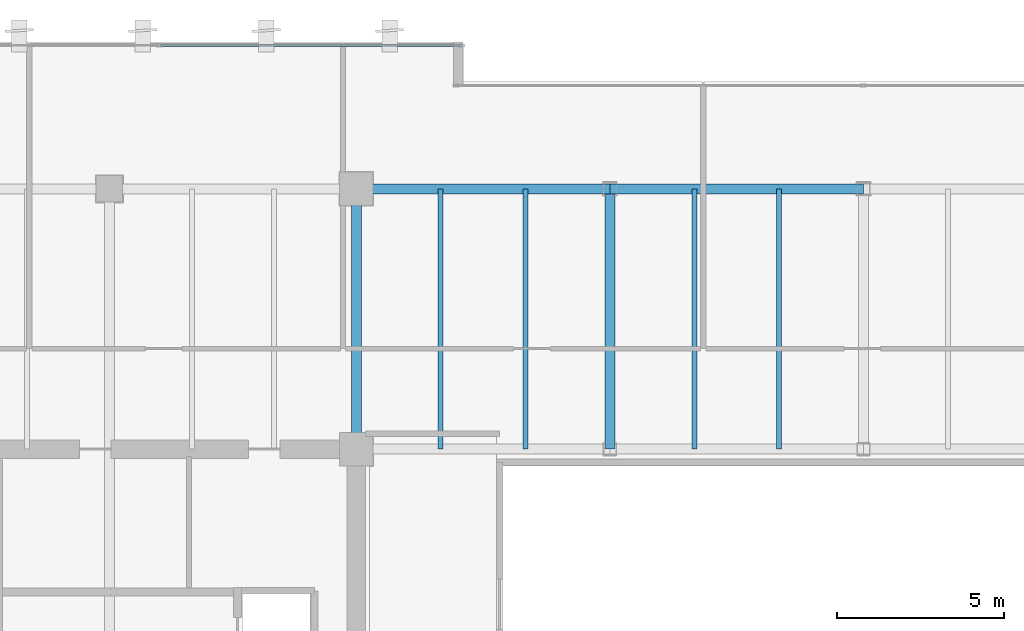
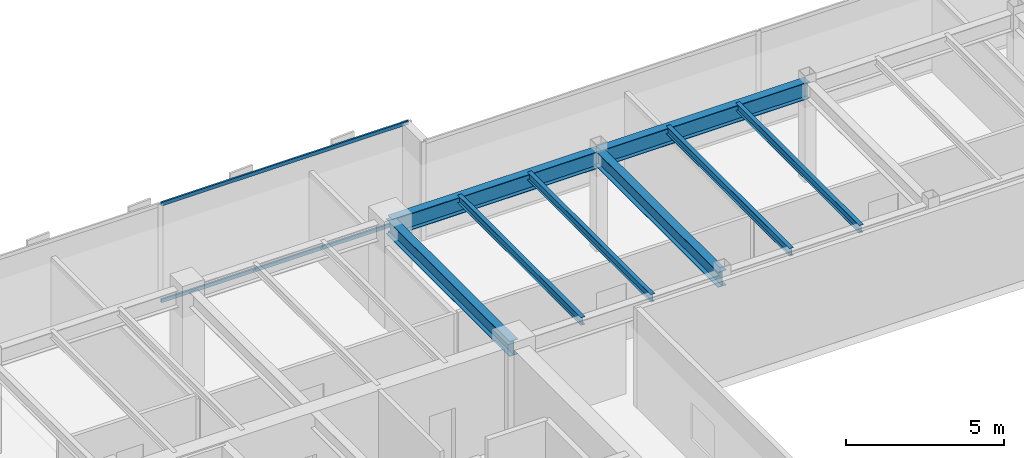
# One storey, part 16 of 35: 8 beams, 2 members, 1 element without a shape of its own.
"""IFC4 building model written with IfcOpenShell, lengths in metres."""

from ifc_helpers import new_model, si_unit, direction, frame, origin, origin_2d, place, context, subcontext, project, spatial, hollow_rectangle, i_section, extrude, source, transform, mapped, material, layer, layer_set, material_profile, profile_set, type_object, type_shapes, element, aggregate, save


model = new_model("IFC4")

# Units and contexts
model_context = context("Model", 3, precision=1e-05, world=origin(), true_north=direction((0.0, 1.0)))
body_context = subcontext(model_context, "Body", "Model", "MODEL_VIEW")
ifc_project = project(units=[si_unit("LENGTHUNIT", "METRE"), si_unit("AREAUNIT", "SQUARE_METRE"), si_unit("VOLUMEUNIT", "CUBIC_METRE"), si_unit("PLANEANGLEUNIT", "RADIAN"), si_unit("MASSUNIT", "GRAM", prefix="KILO")], contexts=[model_context])

# Site, building, storey
site_placement = place(None, origin())
site = spatial("IfcSite", under=ifc_project, at=site_placement, CompositionType="ELEMENT")
building_placement = place(site_placement, origin())
building = spatial("IfcBuilding", under=site, at=building_placement, Name="Haelvirn Gate Laboratories", CompositionType="ELEMENT")
storey_placement = place(building_placement, frame((0.0, 0.0, 201.39990234375)))
storey = spatial("IfcBuildingStorey", under=building, at=storey_placement, Name="L48", CompositionType="ELEMENT", Elevation=201.39990234375)

# Beams
ifc_material_1 = material(Name="Steel SM355", Category="steel")
ifc_material_profile_1 = material_profile(ifc_material_1, i_section(OverallWidth=0.14990234375, OverallDepth=0.300048828125, WebThickness=0.006591796875, FlangeThickness=0.009033203125, at=origin_2d()), Name="H-300x150x6.5x9")
ifc_profile_set_1 = profile_set([ifc_material_profile_1], Name="Steel SM355")
beam_type_1 = type_object("IfcBeamType", Name="BM-J-300", PredefinedType="JOIST", material=ifc_profile_set_1)
shared_shape_1 = source(origin(), body_context, "Body", "SweptSolid", [
    extrude(i_section(OverallWidth=0.14990234375, OverallDepth=0.300048828125, WebThickness=0.006591796875, FlangeThickness=0.009033203125, at=origin_2d()), origin(), (0.0, 0.0, 1.0), 7.800048828125),
])
type_shapes(beam_type_1, [shared_shape_1])
for number, where, z_axis, x_axis, name in (
    (1, (24.72998046875, 33.800048828125, 3.650146484375), (0.0, 1.0, 0.0), (-1.0, 0.0, 0.0), "L48 Composite Lab Joist North X24.73"),
    (2, (27.27001953125, 33.800048828125, 3.650146484375), (0.0, 1.0, 0.0), (-1.0, 0.0, 0.0), "L48 Composite Lab Joist North X27.27"),
    (3, (32.330078125, 33.800048828125, 3.650146484375), (0.0, 1.0, 0.0), (-1.0, 0.0, 0.0), "L48 Composite Lab Joist North X32.33"),
    (4, (34.8701171875, 33.800048828125, 3.650146484375), (0.0, 1.0, 0.0), (-1.0, 0.0, 0.0), "L48 Composite Lab Joist North X34.87"),
):
    element("IfcBeam", number, at=place(storey_placement, frame(where, z_axis=z_axis, x_axis=x_axis)), inside=storey, type_object=beam_type_1, Name=name, PredefinedType="JOIST", context=body_context, shape_type="MappedRepresentation", body=[
        mapped(shared_shape_1, transform((0.0, 0.0, 0.0), scale=1.0)),
    ])
ifc_material_profile_2 = material_profile(ifc_material_1, i_section(OverallWidth=0.300048828125, OverallDepth=0.587890625, WebThickness=0.011962890625, FlangeThickness=0.02001953125, at=origin_2d()), Name="H-588x300x12x20")
ifc_profile_set_2 = profile_set([ifc_material_profile_2], Name="Steel SM355")
beam_type_2 = type_object("IfcBeamType", Name="BM-G-588", PredefinedType="BEAM", material=ifc_profile_set_2)
shared_shape_2 = source(origin(), body_context, "Body", "SweptSolid", [
    extrude(i_section(OverallWidth=0.300048828125, OverallDepth=0.587890625, WebThickness=0.011962890625, FlangeThickness=0.02001953125, at=origin_2d()), origin(), (0.0, 0.0, 1.0), 7.800048828125),
])
type_shapes(beam_type_2, [shared_shape_2])
for number, where, z_axis, x_axis, name in (
    (5, (22.199951171875, 33.800048828125, 3.506103515625), (0.0, 1.0, 0.0), (-1.0, 0.0, 0.0), "L48 Frame Girder X22.2 (33.8-41.6)"),
    (6, (29.800048828125, 33.800048828125, 3.506103515625), (0.0, 1.0, 0.0), (-1.0, 0.0, 0.0), "L48 Frame Girder X29.8 (33.8-41.6)"),
):
    element("IfcBeam", number, at=place(storey_placement, frame(where, z_axis=z_axis, x_axis=x_axis)), inside=storey, type_object=beam_type_2, Name=name, PredefinedType="BEAM", context=body_context, shape_type="MappedRepresentation", body=[
        mapped(shared_shape_2, transform((0.0, 0.0, 0.0), scale=1.0)),
    ])
ifc_material_profile_3 = material_profile(ifc_material_1, i_section(OverallWidth=0.300048828125, OverallDepth=0.64990234375, WebThickness=0.012939453125, FlangeThickness=0.02197265625, at=origin_2d()), Name="H-650x300x13x22")
ifc_profile_set_3 = profile_set([ifc_material_profile_3], Name="Steel SM355")
beam_type_3 = type_object("IfcBeamType", Name="BM-G-650", PredefinedType="BEAM", material=ifc_profile_set_3)
shared_shape_3 = source(origin(), body_context, "Body", "SweptSolid", [
    extrude(i_section(OverallWidth=0.300048828125, OverallDepth=0.64990234375, WebThickness=0.012939453125, FlangeThickness=0.02197265625, at=origin_2d()), origin(), (0.0, 0.0, 1.0), 7.60009765625),
])
beam_1_placement = place(storey_placement, frame((22.199951171875, 41.60009765625, 3.47509765625), z_axis=(1.0, 0.0, 0.0), x_axis=(0.0, 1.0, 0.0)))
element("IfcBeam", 7, at=beam_1_placement, inside=storey, type_object=beam_type_3, Name="L48 Primary Girder Y41.6 (22.2-29.8)", PredefinedType="BEAM", context=body_context, shape_type="MappedRepresentation", body=[
    mapped(shared_shape_3, transform((0.0, 0.0, 0.0), scale=1.0)),
])
shared_shape_4 = source(origin(), body_context, "Body", "SweptSolid", [
    extrude(i_section(OverallWidth=0.300048828125, OverallDepth=0.64990234375, WebThickness=0.012939453125, FlangeThickness=0.02197265625, at=origin_2d()), origin(), (0.0, 0.0, 1.0), 7.599853515625),
])
type_shapes(beam_type_3, [shared_shape_3, shared_shape_4])
beam_2_placement = place(storey_placement, frame((29.800048828125, 41.60009765625, 3.47509765625), z_axis=(1.0, 0.0, 0.0), x_axis=(0.0, 1.0, 0.0)))
element("IfcBeam", 8, at=beam_2_placement, inside=storey, type_object=beam_type_3, Name="L48 Primary Girder Y41.6 (29.8-37.4)", PredefinedType="BEAM", context=body_context, shape_type="MappedRepresentation", body=[
    mapped(shared_shape_4, transform((0.0, 0.0, 0.0), scale=1.0)),
])

# Curtain wall, members
ifc_material_2 = material(Name="Anodised bronze unitised aluminium & triple low-E glass", Category="aluminium")
ifc_layer = layer(ifc_material_2, 0.176025390625, Name="CW-SYS-4")
ifc_layer_set = layer_set([ifc_layer], Name="Anodised bronze unitised aluminium & triple low-E glass")
curtain_wall_type = type_object("IfcCurtainWallType", Name="CW-SYS-4", PredefinedType="NOTDEFINED", material=ifc_layer_set)
curtain_wall_placement = place(storey_placement, origin())
curtain_wall = element("IfcCurtainWall", 9, at=curtain_wall_placement, inside=storey, type_object=curtain_wall_type, Name="L48 Unitised Curtain Wall CW-L48-P0-E14-1", PredefinedType="NOTDEFINED")
ifc_material_3 = material(Name="Extruded aluminium 6063-T6 (anodised bronze)", Category="aluminium")
ifc_material_profile_4 = material_profile(ifc_material_3, hollow_rectangle(XDim=0.06494140625, YDim=0.139892578125, WallThickness=0.00390625, at=origin_2d()), Name="CWT-140x65x4")
ifc_profile_set_4 = profile_set([ifc_material_profile_4], Name="Extruded aluminium 6063-T6 (anodised bronze)")
member_type = type_object("IfcMemberType", Name="CWT-T140", PredefinedType="USERDEFINED", material=ifc_profile_set_4)
shared_shape_5 = source(origin(), body_context, "Body", "SweptSolid", [
    extrude(hollow_rectangle(XDim=0.06494140625, YDim=0.139892578125, WallThickness=0.00390625, at=origin_2d()), origin(), (0.0, 0.0, 1.0), 8.9951171875),
])
type_shapes(member_type, [shared_shape_5])
member_1_placement = place(storey_placement, frame((16.3349609375, 45.89990234375, 0.03271484375), z_axis=(1.0, 0.0, 0.0), x_axis=(0.0, 1.0, 0.0)))
member_1 = element("IfcMember", 10, at=member_1_placement, type_object=member_type, Name="CW4 transom 2.1", ObjectType="TRANSOM", PredefinedType="USERDEFINED", context=body_context, shape_type="MappedRepresentation", body=[
    mapped(shared_shape_5, transform((0.0, 0.0, 0.0), scale=1.0)),
])
member_2_placement = place(storey_placement, frame((16.3349609375, 45.89990234375, 3.767578125), z_axis=(1.0, 0.0, 0.0), x_axis=(0.0, 1.0, 0.0)))
member_2 = element("IfcMember", 11, at=member_2_placement, type_object=member_type, Name="CW4 transom 2.2", ObjectType="TRANSOM", PredefinedType="USERDEFINED", context=body_context, shape_type="MappedRepresentation", body=[
    mapped(shared_shape_5, transform((0.0, 0.0, 0.0), scale=1.0)),
])
aggregate(curtain_wall, [member_1, member_2])

save(model, "model.ifc")
